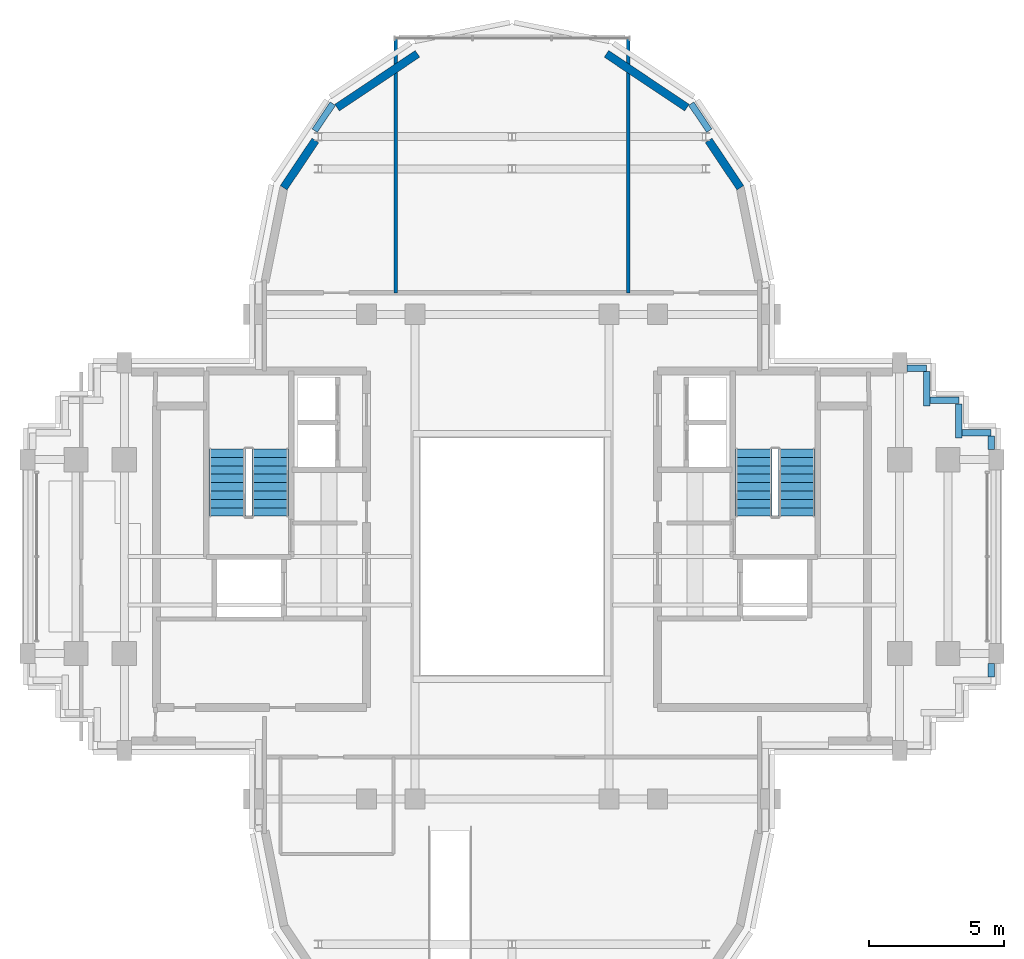
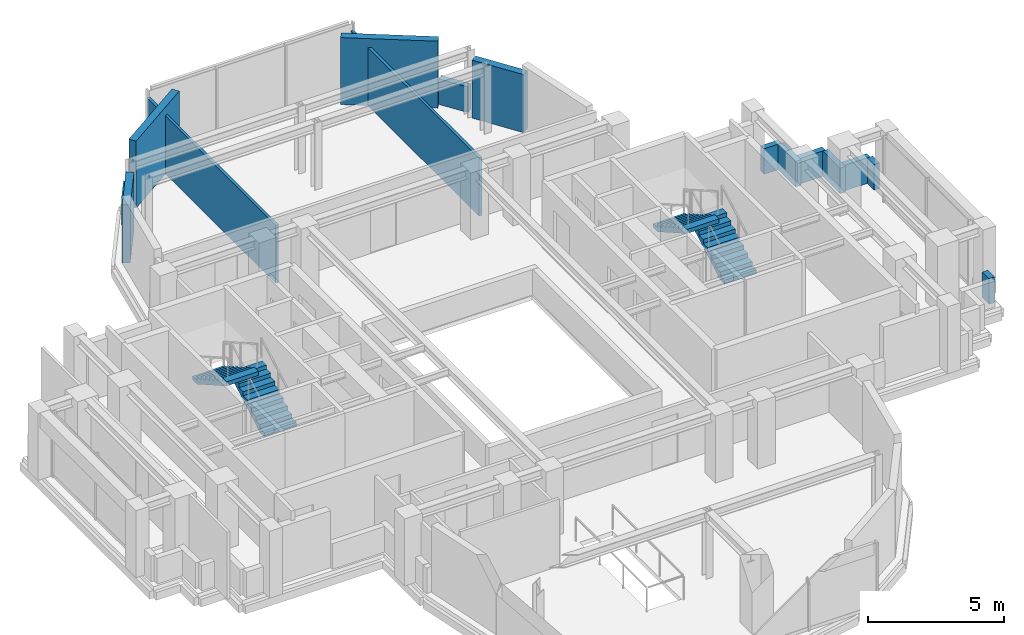
# One storey, part 10 of 12: 15 walls, 4 stair flights, 2 elements without a shape of their own.
"""IFC4 building model written with IfcOpenShell, lengths in metres."""

from ifc_helpers import new_model, si_unit, direction, frame, frame_2d, origin, place, context, subcontext, project, spatial, polyline, rectangle, outline, extrude, material, layer, layer_set, type_object, element, aggregate, save


model = new_model("IFC4")

# Units and contexts
model_context = context("Model", 3, precision=1e-05, world=origin(), true_north=direction((0.0, 1.0)))
body_context = subcontext(model_context, "Body", "Model", "MODEL_VIEW")
ifc_project = project(units=[si_unit("LENGTHUNIT", "METRE"), si_unit("AREAUNIT", "SQUARE_METRE"), si_unit("VOLUMEUNIT", "CUBIC_METRE"), si_unit("PLANEANGLEUNIT", "RADIAN"), si_unit("MASSUNIT", "GRAM", prefix="KILO")], contexts=[model_context])

# Site, building, storey
site_placement = place(None, origin())
site = spatial("IfcSite", under=ifc_project, at=site_placement, CompositionType="ELEMENT")
building_placement = place(site_placement, origin())
building = spatial("IfcBuilding", under=site, at=building_placement, Name="Keilestroom Media Tower", CompositionType="ELEMENT")
storey_placement = place(building_placement, frame((0.0, 0.0, 242.800048828125)))
storey = spatial("IfcBuildingStorey", under=building, at=storey_placement, Name="L67", CompositionType="ELEMENT", Elevation=242.800048828125)

# Walls
ifc_material_1 = material(Name="Precast concrete C40/50", Category="concrete")
ifc_layer_1 = layer(ifc_material_1, 0.300048828125)
ifc_layer_set_1 = layer_set([ifc_layer_1], Name="Precast concrete C40/50")
wall_type_1 = type_object("IfcWallType", Name="Exterior-Masonry-Spandrel-Wall-300", PredefinedType="SOLIDWALL", material=ifc_layer_set_1)
wall_1_placement = place(storey_placement, frame((8.48193359375, 13.697509765625, 0.0), z_axis=(0.0, 0.0, 1.0), x_axis=(-0.555604299396, 0.831446848868, 0.0)))
element("IfcWall", 1, at=wall_1_placement, inside=storey, type_object=wall_type_1, Name="L67 Lobe Facet Precast Frame Wall 02", PredefinedType="SOLIDWALL", context=body_context, shape_type="SweptSolid", body=[
    extrude(rectangle(XDim=2.117919921875, YDim=0.300048828125, at=frame_2d((1.05908203125, 0.0))), origin(), (0.0, 0.0, 1.0), 2.60986328125),
])
for number, where, z_axis, x_axis, name in (
    (2, (6.497802734375, 16.677001953125, 0.0), (0.0, 0.0, 1.0), (-0.831443568068, 0.555609208993, 0.0), "L67 Lobe Facet Precast Frame Wall 03"),
    (3, (-3.510009765625, 18.673583984375, 0.0), (0.0, 0.0, 1.0), (-0.831443568068, -0.555609208993, 0.0), "L67 Lobe Facet Precast Frame Wall 04"),
):
    element("IfcWall", number, at=place(storey_placement, frame(where, z_axis=z_axis, x_axis=x_axis)), inside=storey, type_object=wall_type_1, Name=name, PredefinedType="SOLIDWALL", context=body_context, shape_type="SweptSolid", body=[
        extrude(rectangle(XDim=3.593505859375, YDim=0.300048828125, at=frame_2d((1.796875, 0.0))), origin(), (0.0, 0.0, 1.0), 3.010009765625),
    ])
wall_2_placement = place(storey_placement, frame((-7.30517578125, 15.45849609375, 0.0), z_axis=(0.0, 0.0, 1.0), x_axis=(-0.555604299396, -0.831446848868, 0.0)))
element("IfcWall", 4, at=wall_2_placement, inside=storey, type_object=wall_type_1, Name="L67 Lobe Facet Precast Frame Wall 05", PredefinedType="SOLIDWALL", context=body_context, shape_type="SweptSolid", body=[
    extrude(rectangle(XDim=2.117919921875, YDim=0.300048828125, at=frame_2d((1.05908203125, 0.0))), origin(), (0.0, 0.0, 1.0), 2.60986328125),
])
ifc_material_2 = material(Name="Gypsum Plasterboard & Steel Stud", Category="steel")
ifc_layer_2 = layer(ifc_material_2, 0.1201171875)
ifc_layer_set_2 = layer_set([ifc_layer_2], Name="Gypsum Plasterboard & Steel Stud")
wall_type_2 = type_object("IfcWallType", Name="Interior-Partition-Wall-120", PredefinedType="PARTITIONING", material=ifc_layer_set_2)
for number, where, z_axis, x_axis, name in (
    (5, (-4.320068359375, 9.800048828125, 0.0), (0.0, 0.0, 1.0), (0.0, 1.0, 0.0), "L67 Interior Wall WP-L67-NL-VW"),
    (6, (4.320068359375, 9.800048828125, 0.0), (0.0, 0.0, 1.0), (0.0, 1.0, 0.0), "L67 Interior Wall WP-L67-NL-VE"),
):
    element("IfcWall", number, at=place(storey_placement, frame(where, z_axis=z_axis, x_axis=x_axis)), inside=storey, type_object=wall_type_2, Name=name, PredefinedType="PARTITIONING", context=body_context, shape_type="SweptSolid", body=[
        extrude(rectangle(XDim=9.449951171875, YDim=0.1201171875, at=frame_2d((4.72509765625, 0.0))), origin(), (0.0, 0.0, 1.0), 2.60986328125),
    ])
ifc_layer_3 = layer(ifc_material_1, 0.239990234375)
ifc_layer_set_3 = layer_set([ifc_layer_3], Name="Precast concrete C40/50")
wall_type_3 = type_object("IfcWallType", Name="Roof-And-Terrace-Parapet-Wall-240", PredefinedType="PARAPET", material=ifc_layer_set_3)
for number, where, z_axis, x_axis, name in (
    (7, (-7.328125, 15.8203125, 0.0), (0.0, 0.0, 1.0), (0.555585388542, 0.831459485506, 0.0), "L67 Perimeter Edge Parapet Wall 29"),
    (8, (6.656494140625, 16.825439453125, 0.0), (0.0, 0.0, 1.0), (0.555585388542, -0.831459485506, 0.0), "L67 Perimeter Edge Parapet Wall 30"),
):
    element("IfcWall", number, at=place(storey_placement, frame(where, z_axis=z_axis, x_axis=x_axis)), inside=storey, type_object=wall_type_3, Name=name, PredefinedType="PARAPET", context=body_context, shape_type="SweptSolid", body=[
        extrude(rectangle(XDim=1.208984375, YDim=0.239990234375, at=frame_2d((0.6044921875, 0.0))), origin(), (0.0, 0.0, 1.0), 1.14990234375),
    ])
wall_3_placement = place(storey_placement, frame((14.677978515625, 7.0, 0.0), z_axis=(0.0, 0.0, 1.0), x_axis=(1.0, 0.0, 0.0)))
element("IfcWall", 9, at=wall_3_placement, inside=storey, type_object=wall_type_3, Name="L67 Perimeter Edge Parapet Wall 34", PredefinedType="PARAPET", context=body_context, shape_type="SweptSolid", body=[
    extrude(rectangle(XDim=0.721923828125, YDim=0.239990234375, at=frame_2d((0.36083984375, 0.0))), origin(), (0.0, 0.0, 1.0), 1.14990234375),
])
wall_4_placement = place(storey_placement, frame((15.39990234375, 6.876953125, 0.0), z_axis=(0.0, 0.0, 1.0), x_axis=(0.0, -1.0, 0.0)))
element("IfcWall", 10, at=wall_4_placement, inside=storey, type_object=wall_type_3, Name="L67 Perimeter Edge Parapet Wall 35", PredefinedType="PARAPET", context=body_context, shape_type="SweptSolid", body=[
    extrude(rectangle(XDim=1.27685546875, YDim=0.239990234375, at=frame_2d((0.638427734375, 0.0))), origin(), (0.0, 0.0, 1.0), 1.14990234375),
])
wall_5_placement = place(storey_placement, frame((15.52294921875, 5.800048828125, 0.0), z_axis=(0.0, 0.0, 1.0), x_axis=(1.0, 0.0, 0.0)))
element("IfcWall", 11, at=wall_5_placement, inside=storey, type_object=wall_type_3, Name="L67 Perimeter Edge Parapet Wall 36", PredefinedType="PARAPET", context=body_context, shape_type="SweptSolid", body=[
    extrude(rectangle(XDim=1.0771484375, YDim=0.239990234375, at=frame_2d((0.53857421875, 0.0))), origin(), (0.0, 0.0, 1.0), 1.14990234375),
])
wall_6_placement = place(storey_placement, frame((16.60009765625, 5.677001953125, 0.0), z_axis=(0.0, 0.0, 1.0), x_axis=(0.0, -1.0, 0.0)))
element("IfcWall", 12, at=wall_6_placement, inside=storey, type_object=wall_type_3, Name="L67 Perimeter Edge Parapet Wall 37", PredefinedType="PARAPET", context=body_context, shape_type="SweptSolid", body=[
    extrude(rectangle(XDim=1.277099609375, YDim=0.239990234375, at=frame_2d((0.638671875, 0.0))), origin(), (0.0, 0.0, 1.0), 1.14990234375),
])
wall_7_placement = place(storey_placement, frame((16.722900390625, 4.60009765625, 0.0), z_axis=(0.0, 0.0, 1.0), x_axis=(1.0, 0.0, 0.0)))
element("IfcWall", 13, at=wall_7_placement, inside=storey, type_object=wall_type_3, Name="L67 Perimeter Edge Parapet Wall 38", PredefinedType="PARAPET", context=body_context, shape_type="SweptSolid", body=[
    extrude(rectangle(XDim=1.0771484375, YDim=0.239990234375, at=frame_2d((0.53857421875, 0.0))), origin(), (0.0, 0.0, 1.0), 1.14990234375),
])
for number, where, z_axis, x_axis, name in (
    (14, (17.800048828125, 4.47705078125, 0.0), (0.0, 0.0, 1.0), (0.0, -1.0, 0.0), "L67 Perimeter Edge Parapet Wall 39"),
    (15, (17.800048828125, -3.97802734375, 0.0), (0.0, 0.0, 1.0), (0.0, -1.0, 0.0), "L67 Perimeter Edge Parapet Wall 40"),
):
    element("IfcWall", number, at=place(storey_placement, frame(where, z_axis=z_axis, x_axis=x_axis)), inside=storey, type_object=wall_type_3, Name=name, PredefinedType="PARAPET", context=body_context, shape_type="SweptSolid", body=[
        extrude(rectangle(XDim=0.4990234375, YDim=0.239990234375, at=frame_2d((0.24951171875, 0.0))), origin(), (0.0, 0.0, 1.0), 1.14990234375),
    ])

# Stair, stair flights
ifc_material_3 = material(Name="Concrete C45/55", Category="concrete")
stair_type = type_object("IfcStairType", Name="Enclosed-Dog-Leg-Stair-ST-CORE", PredefinedType="HALF_TURN_STAIR", material=ifc_material_3)
stair_1_placement = place(storey_placement, origin())
stair_1 = element("IfcStair", 16, at=stair_1_placement, inside=storey, type_object=stair_type, Name="L67 West Core Escape Stair ST-1", PredefinedType="HALF_TURN_STAIR")
stair_flight_type = type_object("IfcStairFlightType", Name="Precast-Concrete-Stair-Flight-Core-160", PredefinedType="STRAIGHT", material=ifc_material_1)
stair_flight_1_placement = place(storey_placement, frame((-8.97998046875, 1.5, 0.0), z_axis=(0.0, 0.0, 1.0), x_axis=(0.0, 1.0, 0.0)))
stair_flight_1 = element("IfcStairFlight", 17, at=stair_flight_1_placement, type_object=stair_flight_type, Name="ST-1 flight 1", NumberOfRisers=9, NumberOfTreads=8, PredefinedType="STRAIGHT", RiserHeight=0.177777778, TreadLength=0.312, context=body_context, shape_type="SweptSolid", body=[
    extrude(outline(polyline([(0.0, 0.0), (0.0, 0.177734375), (0.31201171875, 0.177734375), (0.31201171875, 0.35546875), (0.6240234375, 0.35546875), (0.6240234375, 0.533447265625), (0.93603515625, 0.533447265625), (0.93603515625, 0.711181640625), (1.248046875, 0.711181640625), (1.248046875, 0.888916015625), (1.56005859375, 0.888916015625), (1.56005859375, 1.066650390625), (1.8720703125, 1.066650390625), (1.8720703125, 1.244384765625), (2.18408203125, 1.244384765625), (2.18408203125, 1.422119140625), (2.49609375, 1.422119140625), (2.49609375, 1.60009765625), (2.49609375, 1.23828125), (0.322998046875, 0.0), (0.0, 0.0)])), frame((0.0, 0.68017578125, 0.0), z_axis=(0.0, -1.0, 0.0), x_axis=(1.0, 0.0, 0.0)), (0.0, 0.0, 1.0), 1.360107421875),
])
stair_flight_2_placement = place(storey_placement, frame((-10.580078125, 3.99609375, 1.599853515625), z_axis=(0.0, 0.0, 1.0), x_axis=(0.0, -1.0, 0.0)))
stair_flight_2 = element("IfcStairFlight", 18, at=stair_flight_2_placement, type_object=stair_flight_type, Name="ST-1 flight 2", NumberOfRisers=9, NumberOfTreads=8, PredefinedType="STRAIGHT", RiserHeight=0.177777778, TreadLength=0.312, context=body_context, shape_type="SweptSolid", body=[
    extrude(outline(polyline([(0.0, 0.0), (0.0, 0.177734375), (0.31201171875, 0.177734375), (0.31201171875, 0.35546875), (0.6240234375, 0.35546875), (0.6240234375, 0.533447265625), (0.93603515625, 0.533447265625), (0.93603515625, 0.711181640625), (1.248046875, 0.711181640625), (1.248046875, 0.888916015625), (1.56005859375, 0.888916015625), (1.56005859375, 1.066650390625), (1.8720703125, 1.066650390625), (1.8720703125, 1.244384765625), (2.18408203125, 1.244384765625), (2.18408203125, 1.422119140625), (2.49609375, 1.422119140625), (2.49609375, 1.60009765625), (2.49609375, 1.23828125), (0.322998046875, 0.0), (0.0, 0.0)])), frame((0.0, 0.68017578125, 0.0), z_axis=(0.0, -1.0, 0.0), x_axis=(1.0, 0.0, 0.0)), (0.0, 0.0, 1.0), 1.360107421875),
])
aggregate(stair_1, [stair_flight_1, stair_flight_2])

stair_2_placement = place(storey_placement, origin())
stair_2 = element("IfcStair", 19, at=stair_2_placement, inside=storey, type_object=stair_type, Name="L67 East Core Escape Stair ST-2", PredefinedType="HALF_TURN_STAIR")
stair_flight_3_placement = place(storey_placement, frame((10.580078125, 1.5, 0.0), z_axis=(0.0, 0.0, 1.0), x_axis=(0.0, 1.0, 0.0)))
stair_flight_3 = element("IfcStairFlight", 20, at=stair_flight_3_placement, type_object=stair_flight_type, Name="ST-2 flight 1", NumberOfRisers=9, NumberOfTreads=8, PredefinedType="STRAIGHT", RiserHeight=0.177777778, TreadLength=0.312, context=body_context, shape_type="SweptSolid", body=[
    extrude(outline(polyline([(0.0, 0.0), (0.0, 0.177734375), (0.31201171875, 0.177734375), (0.31201171875, 0.35546875), (0.6240234375, 0.35546875), (0.6240234375, 0.533447265625), (0.93603515625, 0.533447265625), (0.93603515625, 0.711181640625), (1.248046875, 0.711181640625), (1.248046875, 0.888916015625), (1.56005859375, 0.888916015625), (1.56005859375, 1.066650390625), (1.8720703125, 1.066650390625), (1.8720703125, 1.244384765625), (2.18408203125, 1.244384765625), (2.18408203125, 1.422119140625), (2.49609375, 1.422119140625), (2.49609375, 1.60009765625), (2.49609375, 1.23828125), (0.322998046875, 0.0), (0.0, 0.0)])), frame((0.0, 0.68017578125, 0.0), z_axis=(0.0, -1.0, 0.0), x_axis=(1.0, 0.0, 0.0)), (0.0, 0.0, 1.0), 1.360107421875),
])
stair_flight_4_placement = place(storey_placement, frame((8.97998046875, 3.99609375, 1.599853515625), z_axis=(0.0, 0.0, 1.0), x_axis=(0.0, -1.0, 0.0)))
stair_flight_4 = element("IfcStairFlight", 21, at=stair_flight_4_placement, type_object=stair_flight_type, Name="ST-2 flight 2", NumberOfRisers=9, NumberOfTreads=8, PredefinedType="STRAIGHT", RiserHeight=0.177777778, TreadLength=0.312, context=body_context, shape_type="SweptSolid", body=[
    extrude(outline(polyline([(0.0, 0.0), (0.0, 0.177734375), (0.31201171875, 0.177734375), (0.31201171875, 0.35546875), (0.6240234375, 0.35546875), (0.6240234375, 0.533447265625), (0.93603515625, 0.533447265625), (0.93603515625, 0.711181640625), (1.248046875, 0.711181640625), (1.248046875, 0.888916015625), (1.56005859375, 0.888916015625), (1.56005859375, 1.066650390625), (1.8720703125, 1.066650390625), (1.8720703125, 1.244384765625), (2.18408203125, 1.244384765625), (2.18408203125, 1.422119140625), (2.49609375, 1.422119140625), (2.49609375, 1.60009765625), (2.49609375, 1.23828125), (0.322998046875, 0.0), (0.0, 0.0)])), frame((0.0, 0.68017578125, 0.0), z_axis=(0.0, -1.0, 0.0), x_axis=(1.0, 0.0, 0.0)), (0.0, 0.0, 1.0), 1.360107421875),
])
aggregate(stair_2, [stair_flight_3, stair_flight_4])

save(model, "model.ifc")
